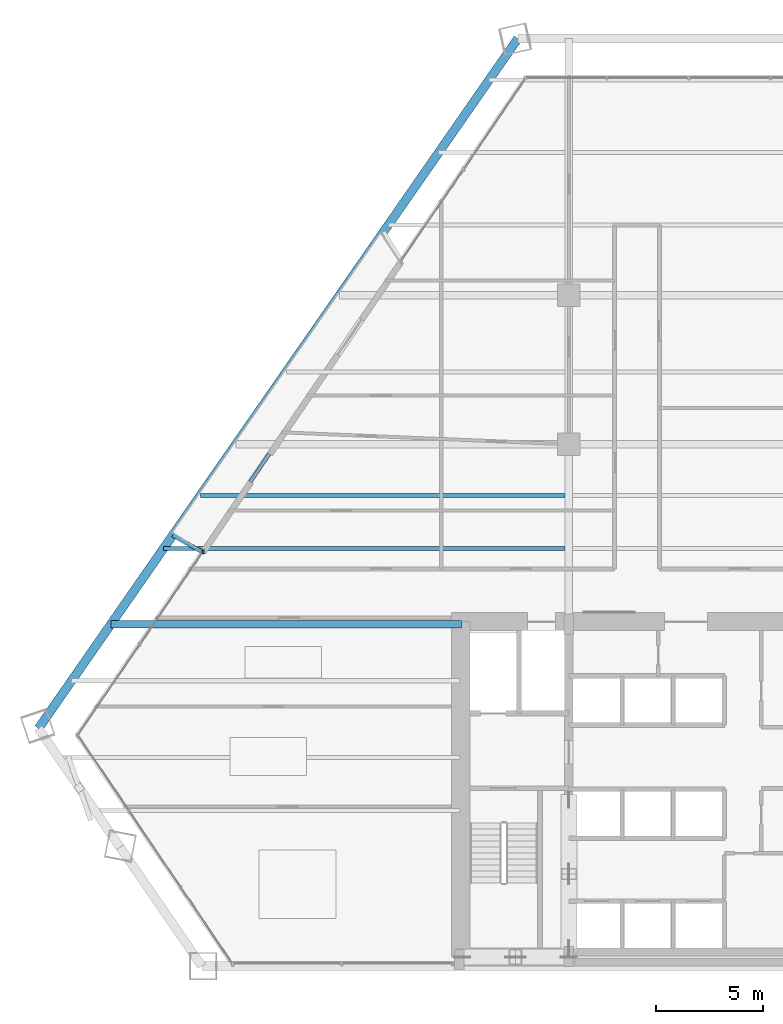
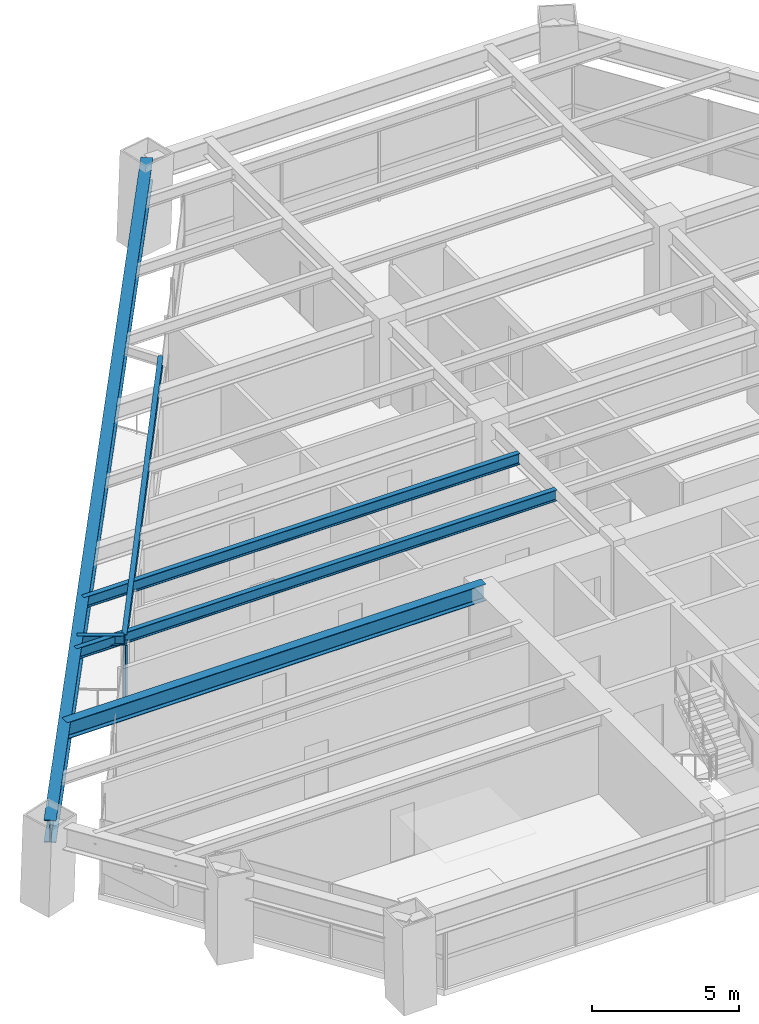
# One storey, part 4 of 14: 6 beams, 1 member, 1 element without a shape of its own.
"""IFC4 building model written with IfcOpenShell, lengths in metres."""

from ifc_helpers import new_model, si_unit, direction, frame, origin, origin_2d, place, context, subcontext, project, spatial, rectangle, i_section, extrude, source, transform, mapped, material, material_profile, profile_set, type_object, element, aggregate, save


model = new_model("IFC4")

# Units and contexts
model_context = context("Model", 3, precision=1e-05, world=origin(), true_north=direction((0.0, 1.0)))
body_context = subcontext(model_context, "Body", "Model", "MODEL_VIEW")
ifc_project = project(units=[si_unit("LENGTHUNIT", "METRE"), si_unit("AREAUNIT", "SQUARE_METRE"), si_unit("VOLUMEUNIT", "CUBIC_METRE"), si_unit("PLANEANGLEUNIT", "RADIAN"), si_unit("MASSUNIT", "GRAM", prefix="KILO")], contexts=[model_context])

# Site, building, storey
site_placement = place(None, origin())
site = spatial("IfcSite", under=ifc_project, at=site_placement, CompositionType="ELEMENT")
building_placement = place(site_placement, origin())
building = spatial("IfcBuilding", under=site, at=building_placement, Name="Varnakhor Terracotta Tower", CompositionType="ELEMENT")
storey_placement = place(building_placement, frame((0.0, 0.0, 38.60009765625)))
storey = spatial("IfcBuildingStorey", under=building, at=storey_placement, Name="L08", CompositionType="ELEMENT", Elevation=38.60009765625)

# Beams
ifc_material_1 = material(Name="Steel S355", Category="steel")
ifc_material_profile_1 = material_profile(ifc_material_1, i_section(OverallWidth=0.41796875, OverallDepth=0.927001953125, WebThickness=0.01904296875, FlangeThickness=0.031982421875, FilletRadius=0.01806640625, at=origin_2d()), Name="W36X231")
ifc_profile_set_1 = profile_set([ifc_material_profile_1], Name="Steel S355")
beam_type_1 = type_object("IfcBeamType", Name="BM-W36X231", PredefinedType="BEAM", material=ifc_profile_set_1)
shared_shape_1 = source(origin(), body_context, "Body", "SweptSolid", [
    extrude(i_section(OverallWidth=0.41796875, OverallDepth=0.927001953125, WebThickness=0.01904296875, FlangeThickness=0.031982421875, FilletRadius=0.01806640625, at=origin_2d()), origin(), (0.0, 0.0, 1.0), 39.439208984375),
])
beam_1_placement = place(storey_placement, frame((-7.89208984375, 43.54736328125, 2.986328125), z_axis=(-0.570640908582, -0.821199703758, 0.0), x_axis=(0.821199703758, -0.570640908582, 0.0)))
element("IfcBeam", 1, at=beam_1_placement, inside=storey, type_object=beam_type_1, Name="L08 Perimeter Spandrel 6", PredefinedType="BEAM", context=body_context, shape_type="MappedRepresentation", body=[
    mapped(shared_shape_1, transform((0.0, 0.0, 0.0), scale=1.0)),
])
ifc_material_profile_2 = material_profile(ifc_material_1, i_section(OverallWidth=0.179931640625, OverallDepth=0.39990234375, WebThickness=0.008544921875, FlangeThickness=0.013427734375, FilletRadius=0.01806640625, at=origin_2d()), Name="IPE400")
ifc_profile_set_2 = profile_set([ifc_material_profile_2], Name="Steel S355")
beam_type_2 = type_object("IfcBeamType", Name="JST-IPE400", PredefinedType="JOIST", material=ifc_profile_set_2)
shared_shape_2 = source(origin(), body_context, "Body", "SweptSolid", [
    extrude(i_section(OverallWidth=0.179931640625, OverallDepth=0.39990234375, WebThickness=0.008544921875, FlangeThickness=0.013427734375, FilletRadius=0.01806640625, at=origin_2d()), origin(), (0.0, 0.0, 1.0), 16.573974609375),
])
beam_2_placement = place(storey_placement, frame((-13.36767578125, 33.13623046875, 3.25), z_axis=(-0.563203350017, -0.826318332442, 0.0), x_axis=(0.826318332442, -0.563203350017, 0.0)))
element("IfcBeam", 2, at=beam_2_placement, inside=storey, type_object=beam_type_2, Name="L08 Loggia Edge Beam 2", PredefinedType="JOIST", context=body_context, shape_type="MappedRepresentation", body=[
    mapped(shared_shape_2, transform((0.0, 0.0, 0.0), scale=1.0)),
])
ifc_material_profile_3 = material_profile(ifc_material_1, i_section(OverallWidth=0.35498046875, OverallDepth=0.695068359375, WebThickness=0.014892578125, FlangeThickness=0.02490234375, FilletRadius=0.01806640625, at=origin_2d()), Name="W27X146")
ifc_profile_set_3 = profile_set([ifc_material_profile_3], Name="Steel S355")
beam_type_3 = type_object("IfcBeamType", Name="BM-W27X146", PredefinedType="BEAM", material=ifc_profile_set_3)
shared_shape_3 = source(origin(), body_context, "Body", "SweptSolid", [
    extrude(i_section(OverallWidth=0.35498046875, OverallDepth=0.695068359375, WebThickness=0.014892578125, FlangeThickness=0.02490234375, FilletRadius=0.01806640625, at=origin_2d()), origin(), (0.0, 0.0, 1.0), 16.44970703125),
])
beam_3_placement = place(storey_placement, frame((-26.999755859375, 16.050048828125, 3.102294921875), z_axis=(1.0, 0.0, 0.0), x_axis=(0.0, 1.0, 0.0)))
element("IfcBeam", 3, at=beam_3_placement, inside=storey, type_object=beam_type_3, Name="L08 Wing Girder W", PredefinedType="BEAM", context=body_context, shape_type="MappedRepresentation", body=[
    mapped(shared_shape_3, transform((0.0, 0.0, 0.0), scale=1.0)),
])
ifc_material_profile_4 = material_profile(ifc_material_1, i_section(OverallWidth=0.19189453125, OverallDepth=0.462890625, WebThickness=0.010498046875, FlangeThickness=0.017578125, FilletRadius=0.01806640625, at=origin_2d()), Name="W18X60")
ifc_profile_set_4 = profile_set([ifc_material_profile_4], Name="Steel S355")
beam_type_4 = type_object("IfcBeamType", Name="JST-W18X60", PredefinedType="JOIST", material=ifc_profile_set_4)
shared_shape_4 = source(origin(), body_context, "Body", "SweptSolid", [
    extrude(i_section(OverallWidth=0.19189453125, OverallDepth=0.462890625, WebThickness=0.010498046875, FlangeThickness=0.017578125, FilletRadius=0.01806640625, at=origin_2d()), origin(), (0.0, 0.0, 1.0), 18.859375),
])
beam_4_placement = place(storey_placement, frame((-24.532958984375, 19.60009765625, 3.218505859375), z_axis=(1.0, 0.0, 0.0), x_axis=(0.0, 1.0, 0.0)))
element("IfcBeam", 4, at=beam_4_placement, inside=storey, type_object=beam_type_4, Name="L08 Composite Floor Joist 4-1", PredefinedType="JOIST", context=body_context, shape_type="MappedRepresentation", body=[
    mapped(shared_shape_4, transform((0.0, 0.0, 0.0), scale=1.0)),
])
shared_shape_5 = source(origin(), body_context, "Body", "SweptSolid", [
    extrude(i_section(OverallWidth=0.19189453125, OverallDepth=0.462890625, WebThickness=0.010498046875, FlangeThickness=0.017578125, FilletRadius=0.01806640625, at=origin_2d()), origin(), (0.0, 0.0, 1.0), 17.1220703125),
])
beam_5_placement = place(storey_placement, frame((-22.795654296875, 22.10009765625, 3.218505859375), z_axis=(1.0, 0.0, 0.0), x_axis=(0.0, 1.0, 0.0)))
element("IfcBeam", 5, at=beam_5_placement, inside=storey, type_object=beam_type_4, Name="L08 Composite Floor Joist 5-1", PredefinedType="JOIST", context=body_context, shape_type="MappedRepresentation", body=[
    mapped(shared_shape_5, transform((0.0, 0.0, 0.0), scale=1.0)),
])

# Curtain wall, member
ifc_material_2 = material(Name="Anodised Aluminium Curtain Wall System", Category="aluminium")
curtain_wall_type = type_object("IfcCurtainWallType", Name="CW-SYS-LOW-OFFICE", PredefinedType="NOTDEFINED", material=ifc_material_2)
curtain_wall_placement = place(storey_placement, origin())
curtain_wall = element("IfcCurtainWall", 6, at=curtain_wall_placement, inside=storey, type_object=curtain_wall_type, Name="L08 W Facet Curtain Wall 1", PredefinedType="NOTDEFINED")
ifc_material_3 = material(Name="Anodised Aluminium 6063-T6", Category="aluminium")
ifc_material_profile_5 = material_profile(ifc_material_3, rectangle(XDim=0.074951171875, YDim=0.18505859375, at=origin_2d()), Name="ALU MULLION 75x185")
ifc_profile_set_5 = profile_set([ifc_material_profile_5], Name="Anodised Aluminium 6063-T6")
member_type = type_object("IfcMemberType", Name="CWM-02", PredefinedType="MULLION", material=ifc_profile_set_5)
shared_shape_6 = source(origin(), body_context, "Body", "SweptSolid", [
    extrude(rectangle(XDim=0.074951171875, YDim=0.18505859375, at=origin_2d()), origin(), (0.0, 0.0, 1.0), 3.02978515625),
])
member_placement = place(storey_placement, frame((-22.6630859375, 19.44482421875, 0.0), z_axis=(0.0, 0.0, 1.0), x_axis=(1.0, 0.0, 0.0)))
member = element("IfcMember", 7, at=member_placement, type_object=member_type, Name="L08 W Loggia Jamb Closure Mullion 1", PredefinedType="MULLION", context=body_context, shape_type="MappedRepresentation", body=[
    mapped(shared_shape_6, transform((0.0, 0.0, 0.0), scale=1.0)),
])
aggregate(curtain_wall, [member])

# Beam
shared_shape_7 = source(origin(), body_context, "Body", "SweptSolid", [
    extrude(i_section(OverallWidth=0.179931640625, OverallDepth=0.39990234375, WebThickness=0.008544921875, FlangeThickness=0.013427734375, FilletRadius=0.01806640625, at=origin_2d()), origin(), (0.0, 0.0, 1.0), 1.60107421875),
])
beam_6_placement = place(storey_placement, frame((-22.7021484375, 19.44091796875, 3.25), z_axis=(-0.870653699465, 0.491896468384, 0.0), x_axis=(-0.491896468384, -0.870653699465, 0.0)))
element("IfcBeam", 8, at=beam_6_placement, inside=storey, type_object=beam_type_2, Name="L09 W Loggia Tie Beam 1", PredefinedType="JOIST", context=body_context, shape_type="MappedRepresentation", body=[
    mapped(shared_shape_7, transform((0.0, 0.0, 0.0), scale=1.0)),
])

save(model, "model.ifc")
